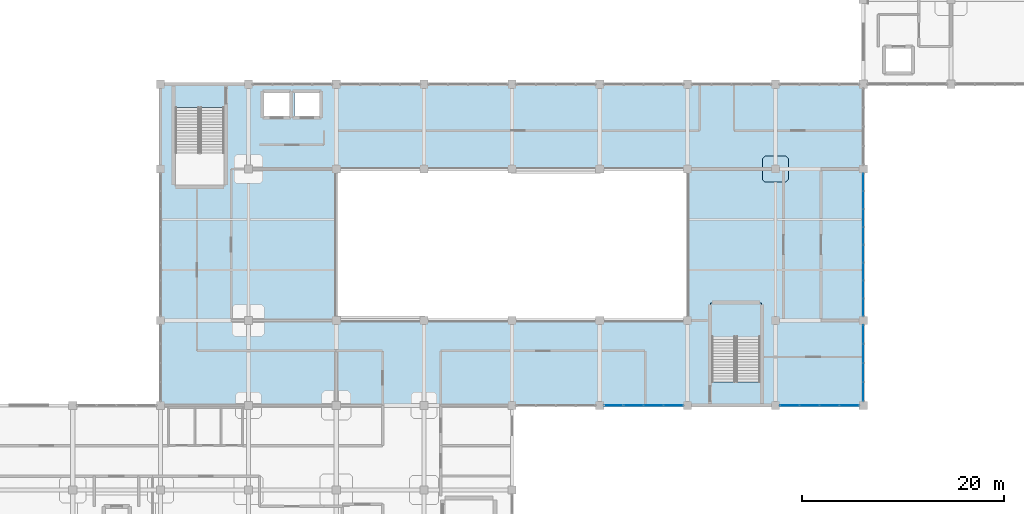
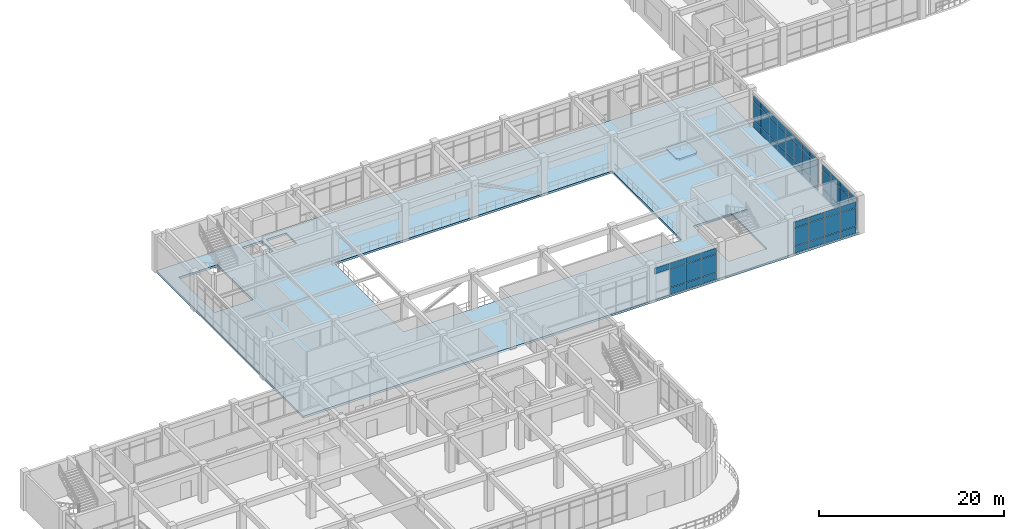
# One storey, part 72 of 96: 58 plates, 3 slabs, 6 elements without a shape of their own.
"""IFC4 building model written with IfcOpenShell, lengths in metres."""

from ifc_helpers import new_model, si_unit, derived_unit, direction, frame, origin, origin_2d, place, context, subcontext, project, spatial, polyline, rectangle, outline, extrude, material, layer, layer_set, type_object, element, aggregate, save


model = new_model("IFC4")

# Units and contexts
model_context = context("Model", 3, precision=1e-05, world=origin(), true_north=direction((0.0, 1.0)))
body_context = subcontext(model_context, "Body", "Model", "MODEL_VIEW")
ifc_project = project(units=[si_unit("LENGTHUNIT", "METRE"), si_unit("AREAUNIT", "SQUARE_METRE"), si_unit("VOLUMEUNIT", "CUBIC_METRE"), si_unit("PLANEANGLEUNIT", "RADIAN"), si_unit("MASSUNIT", "GRAM", prefix="KILO"), derived_unit("THERMALTRANSMITTANCEUNIT", [(si_unit("MASSUNIT", "GRAM", prefix="KILO"), 1), (si_unit("TIMEUNIT", "SECOND"), -3), (si_unit("THERMODYNAMICTEMPERATUREUNIT", "KELVIN"), -1)])], contexts=[model_context])

# Site, building, storey
site_placement = place(None, origin())
site = spatial("IfcSite", under=ifc_project, at=site_placement, CompositionType="ELEMENT")
building_placement = place(site_placement, origin())
building = spatial("IfcBuilding", under=site, at=building_placement, Name="Qinzheling Arcade Emporium", CompositionType="ELEMENT")
storey_placement = place(building_placement, frame((0.0, 0.0, 21.60009765625)))
storey = spatial("IfcBuildingStorey", under=building, at=storey_placement, Name="L05", CompositionType="ELEMENT", Elevation=21.60009765625)

# Slab
ifc_material_1 = material(Name="Concrete C40", Category="concrete")
ifc_layer_1 = layer(ifc_material_1, 0.235107421875, Name="Concrete C40", Category="concrete")
ifc_layer_set_1 = layer_set([ifc_layer_1], Name="Concrete C40")
slab_type_1 = type_object("IfcSlabType", Name="Column Head Drop Panel 2600x2600x235 C40", PredefinedType="USERDEFINED", material=ifc_layer_set_1)
slab_1_placement = place(storey_placement, frame((0.0, 0.0, -0.51513671875)))
element("IfcSlab", 1, at=slab_1_placement, inside=storey, type_object=slab_type_1, Name="Column Drop Panel DP-L05-12-H", ObjectType="DROP_PANEL", PredefinedType="USERDEFINED", context=body_context, shape_type="SweptSolid", body=[
    extrude(outline(polyline([(94.679931640625, 64.10009765625), (96.719970703125, 64.10009765625), (97.0, 64.3798828125), (97.0, 66.419921875), (96.719970703125, 66.699951171875), (94.679931640625, 66.699951171875), (94.39990234375, 66.419921875), (94.39990234375, 64.3798828125), (94.679931640625, 64.10009765625)])), origin(), (0.0, 0.0, 1.0), 0.235107421875),
])

# Curtain wall, plates
ifc_material_2 = material(Name="Anodised aluminium and solar-control double glazing", Category="aluminium")
ifc_layer_2 = layer(ifc_material_2, 0.159912109375, Name="Anodised aluminium and solar-control double glazing", Category="aluminium")
ifc_layer_set_2 = layer_set([ifc_layer_2], Name="Anodised aluminium and solar-control double glazing")
curtain_wall_type = type_object("IfcCurtainWallType", Name="Atrium Clerestory Curtain Wall", PredefinedType="NOTDEFINED", material=ifc_layer_set_2)
curtain_wall_1_placement = place(storey_placement, origin())
curtain_wall_1 = element("IfcCurtainWall", 2, at=curtain_wall_1_placement, inside=storey, type_object=curtain_wall_type, Name="Curtain Wall CW-L05-327", PredefinedType="NOTDEFINED")
ifc_material_3 = material(Name="Laminated solar-control double glazing", Category="glass")
ifc_layer_3 = layer(ifc_material_3, 0.033935546875, Name="Laminated solar-control double glazing", Category="glass")
ifc_layer_set_3 = layer_set([ifc_layer_3], Name="Laminated solar-control double glazing")
plate_type_1 = type_object("IfcPlateType", Name="Low-E Double Glazed Curtain Panel 34mm", PredefinedType="CURTAIN_PANEL", material=ifc_layer_set_3)
plate_1_placement = place(storey_placement, frame((104.39990234375, 64.095947265625, 0.06005859375), z_axis=(0.0, 0.0, 1.0), x_axis=(0.0, -1.0, 0.0)))
plate_1 = element("IfcPlate", 3, at=plate_1_placement, type_object=plate_type_1, Name="CW03 panel 1.1", PredefinedType="CURTAIN_PANEL", context=body_context, shape_type="SweptSolid", body=[
    extrude(rectangle(XDim=1.68408203125, YDim=0.033935546875, at=origin_2d()), origin(), (0.0, 0.0, 1.0), 0.860107421875),
])
plate_2_placement = place(storey_placement, frame((104.39990234375, 64.095947265625, 0.97998046875), z_axis=(0.0, 0.0, 1.0), x_axis=(0.0, -1.0, 0.0)))
plate_2 = element("IfcPlate", 4, at=plate_2_placement, type_object=plate_type_1, Name="CW03 panel 1.2", PredefinedType="CURTAIN_PANEL", context=body_context, shape_type="SweptSolid", body=[
    extrude(rectangle(XDim=1.68408203125, YDim=0.033935546875, at=origin_2d()), origin(), (0.0, 0.0, 1.0), 2.45703125),
])
plate_3_placement = place(storey_placement, frame((104.39990234375, 64.095947265625, 3.4970703125), z_axis=(0.0, 0.0, 1.0), x_axis=(0.0, -1.0, 0.0)))
plate_3 = element("IfcPlate", 5, at=plate_3_placement, type_object=plate_type_1, Name="CW03 panel 1.3", PredefinedType="CURTAIN_PANEL", context=body_context, shape_type="SweptSolid", body=[
    extrude(rectangle(XDim=1.68408203125, YDim=0.033935546875, at=origin_2d()), origin(), (0.0, 0.0, 1.0), 0.760009765625),
])
plate_4_placement = place(storey_placement, frame((104.39990234375, 62.3369140625, 0.06005859375), z_axis=(0.0, 0.0, 1.0), x_axis=(0.0, -1.0, 0.0)))
plate_4 = element("IfcPlate", 6, at=plate_4_placement, type_object=plate_type_1, Name="CW03 panel 2.1", PredefinedType="CURTAIN_PANEL", context=body_context, shape_type="SweptSolid", body=[
    extrude(rectangle(XDim=1.714111328125, YDim=0.033935546875, at=origin_2d()), origin(), (0.0, 0.0, 1.0), 0.860107421875),
])
plate_5_placement = place(storey_placement, frame((104.39990234375, 62.3369140625, 0.97998046875), z_axis=(0.0, 0.0, 1.0), x_axis=(0.0, -1.0, 0.0)))
plate_5 = element("IfcPlate", 7, at=plate_5_placement, type_object=plate_type_1, Name="CW03 panel 2.2", PredefinedType="CURTAIN_PANEL", context=body_context, shape_type="SweptSolid", body=[
    extrude(rectangle(XDim=1.714111328125, YDim=0.033935546875, at=origin_2d()), origin(), (0.0, 0.0, 1.0), 2.45703125),
])
plate_6_placement = place(storey_placement, frame((104.39990234375, 62.3369140625, 3.4970703125), z_axis=(0.0, 0.0, 1.0), x_axis=(0.0, -1.0, 0.0)))
plate_6 = element("IfcPlate", 8, at=plate_6_placement, type_object=plate_type_1, Name="CW03 panel 2.3", PredefinedType="CURTAIN_PANEL", context=body_context, shape_type="SweptSolid", body=[
    extrude(rectangle(XDim=1.714111328125, YDim=0.033935546875, at=origin_2d()), origin(), (0.0, 0.0, 1.0), 0.760009765625),
])
plate_7_placement = place(storey_placement, frame((104.39990234375, 60.56298828125, 0.06005859375), z_axis=(0.0, 0.0, 1.0), x_axis=(0.0, -1.0, 0.0)))
plate_7 = element("IfcPlate", 9, at=plate_7_placement, type_object=plate_type_1, Name="CW03 panel 3.1", PredefinedType="CURTAIN_PANEL", context=body_context, shape_type="SweptSolid", body=[
    extrude(rectangle(XDim=1.714111328125, YDim=0.033935546875, at=origin_2d()), origin(), (0.0, 0.0, 1.0), 0.860107421875),
])
plate_8_placement = place(storey_placement, frame((104.39990234375, 60.56298828125, 0.97998046875), z_axis=(0.0, 0.0, 1.0), x_axis=(0.0, -1.0, 0.0)))
plate_8 = element("IfcPlate", 10, at=plate_8_placement, type_object=plate_type_1, Name="CW03 panel 3.2", PredefinedType="CURTAIN_PANEL", context=body_context, shape_type="SweptSolid", body=[
    extrude(rectangle(XDim=1.714111328125, YDim=0.033935546875, at=origin_2d()), origin(), (0.0, 0.0, 1.0), 2.45703125),
])
plate_9_placement = place(storey_placement, frame((104.39990234375, 60.56298828125, 3.4970703125), z_axis=(0.0, 0.0, 1.0), x_axis=(0.0, -1.0, 0.0)))
plate_9 = element("IfcPlate", 11, at=plate_9_placement, type_object=plate_type_1, Name="CW03 panel 3.3", PredefinedType="CURTAIN_PANEL", context=body_context, shape_type="SweptSolid", body=[
    extrude(rectangle(XDim=1.714111328125, YDim=0.033935546875, at=origin_2d()), origin(), (0.0, 0.0, 1.0), 0.760009765625),
])
plate_10_placement = place(storey_placement, frame((104.39990234375, 58.803955078125, 0.06005859375), z_axis=(0.0, 0.0, 1.0), x_axis=(0.0, -1.0, 0.0)))
plate_10 = element("IfcPlate", 12, at=plate_10_placement, type_object=plate_type_1, Name="CW03 panel 4.1", PredefinedType="CURTAIN_PANEL", context=body_context, shape_type="SweptSolid", body=[
    extrude(rectangle(XDim=1.68408203125, YDim=0.033935546875, at=origin_2d()), origin(), (0.0, 0.0, 1.0), 0.860107421875),
])
plate_11_placement = place(storey_placement, frame((104.39990234375, 58.803955078125, 0.97998046875), z_axis=(0.0, 0.0, 1.0), x_axis=(0.0, -1.0, 0.0)))
plate_11 = element("IfcPlate", 13, at=plate_11_placement, type_object=plate_type_1, Name="CW03 panel 4.2", PredefinedType="CURTAIN_PANEL", context=body_context, shape_type="SweptSolid", body=[
    extrude(rectangle(XDim=1.68408203125, YDim=0.033935546875, at=origin_2d()), origin(), (0.0, 0.0, 1.0), 2.45703125),
])
plate_12_placement = place(storey_placement, frame((104.39990234375, 58.803955078125, 3.4970703125), z_axis=(0.0, 0.0, 1.0), x_axis=(0.0, -1.0, 0.0)))
plate_12 = element("IfcPlate", 14, at=plate_12_placement, type_object=plate_type_1, Name="CW03 panel 4.3", PredefinedType="CURTAIN_PANEL", context=body_context, shape_type="SweptSolid", body=[
    extrude(rectangle(XDim=1.68408203125, YDim=0.033935546875, at=origin_2d()), origin(), (0.0, 0.0, 1.0), 0.760009765625),
])
aggregate(curtain_wall_1, [plate_1, plate_2, plate_3, plate_4, plate_5, plate_6, plate_7, plate_8, plate_9, plate_10, plate_11, plate_12])

curtain_wall_2_placement = place(storey_placement, origin())
curtain_wall_2 = element("IfcCurtainWall", 15, at=curtain_wall_2_placement, inside=storey, type_object=curtain_wall_type, Name="Curtain Wall CW-L05-328", PredefinedType="NOTDEFINED")
ifc_layer_4 = layer(ifc_material_3, 0.035888671875, Name="Laminated solar-control double glazing", Category="glass")
ifc_layer_set_4 = layer_set([ifc_layer_4], Name="Laminated solar-control double glazing")
plate_type_2 = type_object("IfcPlateType", Name="Low-E Double Glazed Curtain Panel 36mm", PredefinedType="CURTAIN_PANEL", material=ifc_layer_set_4)
plate_13_placement = place(storey_placement, frame((104.39990234375, 56.99609375, 0.06005859375), z_axis=(0.0, 0.0, 1.0), x_axis=(0.0, -1.0, 0.0)))
plate_13 = element("IfcPlate", 16, at=plate_13_placement, type_object=plate_type_2, Name="CW03 panel 1.1", PredefinedType="CURTAIN_PANEL", context=body_context, shape_type="SweptSolid", body=[
    extrude(rectangle(XDim=1.68408203125, YDim=0.035888671875, at=origin_2d()), origin(), (0.0, 0.0, 1.0), 0.860107421875),
])
plate_14_placement = place(storey_placement, frame((104.39990234375, 56.99609375, 0.97998046875), z_axis=(0.0, 0.0, 1.0), x_axis=(0.0, -1.0, 0.0)))
plate_14 = element("IfcPlate", 17, at=plate_14_placement, type_object=plate_type_2, Name="CW03 panel 1.2", PredefinedType="CURTAIN_PANEL", context=body_context, shape_type="SweptSolid", body=[
    extrude(rectangle(XDim=1.68408203125, YDim=0.035888671875, at=origin_2d()), origin(), (0.0, 0.0, 1.0), 2.45703125),
])
plate_15_placement = place(storey_placement, frame((104.39990234375, 56.99609375, 3.4970703125), z_axis=(0.0, 0.0, 1.0), x_axis=(0.0, -1.0, 0.0)))
plate_15 = element("IfcPlate", 18, at=plate_15_placement, type_object=plate_type_2, Name="CW03 panel 1.3", PredefinedType="CURTAIN_PANEL", context=body_context, shape_type="SweptSolid", body=[
    extrude(rectangle(XDim=1.68408203125, YDim=0.035888671875, at=origin_2d()), origin(), (0.0, 0.0, 1.0), 0.760009765625),
])
plate_16_placement = place(storey_placement, frame((104.39990234375, 55.237060546875, 0.06005859375), z_axis=(0.0, 0.0, 1.0), x_axis=(0.0, -1.0, 0.0)))
plate_16 = element("IfcPlate", 19, at=plate_16_placement, type_object=plate_type_2, Name="CW03 panel 2.1", PredefinedType="CURTAIN_PANEL", context=body_context, shape_type="SweptSolid", body=[
    extrude(rectangle(XDim=1.714111328125, YDim=0.035888671875, at=origin_2d()), origin(), (0.0, 0.0, 1.0), 0.860107421875),
])
plate_17_placement = place(storey_placement, frame((104.39990234375, 55.237060546875, 0.97998046875), z_axis=(0.0, 0.0, 1.0), x_axis=(0.0, -1.0, 0.0)))
plate_17 = element("IfcPlate", 20, at=plate_17_placement, type_object=plate_type_2, Name="CW03 panel 2.2", PredefinedType="CURTAIN_PANEL", context=body_context, shape_type="SweptSolid", body=[
    extrude(rectangle(XDim=1.714111328125, YDim=0.035888671875, at=origin_2d()), origin(), (0.0, 0.0, 1.0), 2.45703125),
])
plate_18_placement = place(storey_placement, frame((104.39990234375, 55.237060546875, 3.4970703125), z_axis=(0.0, 0.0, 1.0), x_axis=(0.0, -1.0, 0.0)))
plate_18 = element("IfcPlate", 21, at=plate_18_placement, type_object=plate_type_2, Name="CW03 panel 2.3", PredefinedType="CURTAIN_PANEL", context=body_context, shape_type="SweptSolid", body=[
    extrude(rectangle(XDim=1.714111328125, YDim=0.035888671875, at=origin_2d()), origin(), (0.0, 0.0, 1.0), 0.760009765625),
])
plate_19_placement = place(storey_placement, frame((104.39990234375, 53.462890625, 0.06005859375), z_axis=(0.0, 0.0, 1.0), x_axis=(0.0, -1.0, 0.0)))
plate_19 = element("IfcPlate", 22, at=plate_19_placement, type_object=plate_type_2, Name="CW03 panel 3.1", PredefinedType="CURTAIN_PANEL", context=body_context, shape_type="SweptSolid", body=[
    extrude(rectangle(XDim=1.714111328125, YDim=0.035888671875, at=origin_2d()), origin(), (0.0, 0.0, 1.0), 0.860107421875),
])
plate_20_placement = place(storey_placement, frame((104.39990234375, 53.462890625, 0.97998046875), z_axis=(0.0, 0.0, 1.0), x_axis=(0.0, -1.0, 0.0)))
plate_20 = element("IfcPlate", 23, at=plate_20_placement, type_object=plate_type_2, Name="CW03 panel 3.2", PredefinedType="CURTAIN_PANEL", context=body_context, shape_type="SweptSolid", body=[
    extrude(rectangle(XDim=1.714111328125, YDim=0.035888671875, at=origin_2d()), origin(), (0.0, 0.0, 1.0), 2.45703125),
])
plate_21_placement = place(storey_placement, frame((104.39990234375, 53.462890625, 3.4970703125), z_axis=(0.0, 0.0, 1.0), x_axis=(0.0, -1.0, 0.0)))
plate_21 = element("IfcPlate", 24, at=plate_21_placement, type_object=plate_type_2, Name="CW03 panel 3.3", PredefinedType="CURTAIN_PANEL", context=body_context, shape_type="SweptSolid", body=[
    extrude(rectangle(XDim=1.714111328125, YDim=0.035888671875, at=origin_2d()), origin(), (0.0, 0.0, 1.0), 0.760009765625),
])
plate_22_placement = place(storey_placement, frame((104.39990234375, 51.7041015625, 0.06005859375), z_axis=(0.0, 0.0, 1.0), x_axis=(0.0, -1.0, 0.0)))
plate_22 = element("IfcPlate", 25, at=plate_22_placement, type_object=plate_type_2, Name="CW03 panel 4.1", PredefinedType="CURTAIN_PANEL", context=body_context, shape_type="SweptSolid", body=[
    extrude(rectangle(XDim=1.68408203125, YDim=0.035888671875, at=origin_2d()), origin(), (0.0, 0.0, 1.0), 0.860107421875),
])
plate_23_placement = place(storey_placement, frame((104.39990234375, 51.7041015625, 0.97998046875), z_axis=(0.0, 0.0, 1.0), x_axis=(0.0, -1.0, 0.0)))
plate_23 = element("IfcPlate", 26, at=plate_23_placement, type_object=plate_type_2, Name="CW03 panel 4.2", PredefinedType="CURTAIN_PANEL", context=body_context, shape_type="SweptSolid", body=[
    extrude(rectangle(XDim=1.68408203125, YDim=0.035888671875, at=origin_2d()), origin(), (0.0, 0.0, 1.0), 2.45703125),
])
plate_24_placement = place(storey_placement, frame((104.39990234375, 51.7041015625, 3.4970703125), z_axis=(0.0, 0.0, 1.0), x_axis=(0.0, -1.0, 0.0)))
plate_24 = element("IfcPlate", 27, at=plate_24_placement, type_object=plate_type_2, Name="CW03 panel 4.3", PredefinedType="CURTAIN_PANEL", context=body_context, shape_type="SweptSolid", body=[
    extrude(rectangle(XDim=1.68408203125, YDim=0.035888671875, at=origin_2d()), origin(), (0.0, 0.0, 1.0), 0.760009765625),
])
aggregate(curtain_wall_2, [plate_13, plate_14, plate_15, plate_16, plate_17, plate_18, plate_19, plate_20, plate_21, plate_22, plate_23, plate_24])

curtain_wall_3_placement = place(storey_placement, origin())
curtain_wall_3 = element("IfcCurtainWall", 28, at=curtain_wall_3_placement, inside=storey, type_object=curtain_wall_type, Name="Curtain Wall CW-L05-329", PredefinedType="NOTDEFINED")
ifc_layer_5 = layer(ifc_material_3, 0.0380859375, Name="Laminated solar-control double glazing", Category="glass")
ifc_layer_set_5 = layer_set([ifc_layer_5], Name="Laminated solar-control double glazing")
plate_type_3 = type_object("IfcPlateType", Name="Low-E Double Glazed Curtain Panel 38mm", PredefinedType="CURTAIN_PANEL", material=ifc_layer_set_5)
plate_25_placement = place(storey_placement, frame((104.39990234375, 49.033447265625, 0.06005859375), z_axis=(0.0, 0.0, 1.0), x_axis=(0.0, -1.0, 0.0)))
plate_25 = element("IfcPlate", 29, at=plate_25_placement, type_object=plate_type_3, Name="CW03 panel 1.1", PredefinedType="CURTAIN_PANEL", context=body_context, shape_type="SweptSolid", body=[
    extrude(rectangle(XDim=1.80908203125, YDim=0.0380859375, at=origin_2d()), origin(), (0.0, 0.0, 1.0), 0.860107421875),
])
plate_26_placement = place(storey_placement, frame((104.39990234375, 49.033447265625, 0.97998046875), z_axis=(0.0, 0.0, 1.0), x_axis=(0.0, -1.0, 0.0)))
plate_26 = element("IfcPlate", 30, at=plate_26_placement, type_object=plate_type_3, Name="CW03 panel 1.2", PredefinedType="CURTAIN_PANEL", context=body_context, shape_type="SweptSolid", body=[
    extrude(rectangle(XDim=1.80908203125, YDim=0.0380859375, at=origin_2d()), origin(), (0.0, 0.0, 1.0), 2.39501953125),
])
plate_27_placement = place(storey_placement, frame((104.39990234375, 49.033447265625, 3.43505859375), z_axis=(0.0, 0.0, 1.0), x_axis=(0.0, -1.0, 0.0)))
plate_27 = element("IfcPlate", 31, at=plate_27_placement, type_object=plate_type_3, Name="CW03 panel 1.3", PredefinedType="CURTAIN_PANEL", context=body_context, shape_type="SweptSolid", body=[
    extrude(rectangle(XDim=1.80908203125, YDim=0.0380859375, at=origin_2d()), origin(), (0.0, 0.0, 1.0), 0.760009765625),
])
plate_28_placement = place(storey_placement, frame((104.39990234375, 47.1494140625, 0.06005859375), z_axis=(0.0, 0.0, 1.0), x_axis=(0.0, -1.0, 0.0)))
plate_28 = element("IfcPlate", 32, at=plate_28_placement, type_object=plate_type_3, Name="CW03 panel 2.1", PredefinedType="CURTAIN_PANEL", context=body_context, shape_type="SweptSolid", body=[
    extrude(rectangle(XDim=1.839111328125, YDim=0.0380859375, at=origin_2d()), origin(), (0.0, 0.0, 1.0), 0.860107421875),
])
plate_29_placement = place(storey_placement, frame((104.39990234375, 47.1494140625, 0.97998046875), z_axis=(0.0, 0.0, 1.0), x_axis=(0.0, -1.0, 0.0)))
plate_29 = element("IfcPlate", 33, at=plate_29_placement, type_object=plate_type_3, Name="CW03 panel 2.2", PredefinedType="CURTAIN_PANEL", context=body_context, shape_type="SweptSolid", body=[
    extrude(rectangle(XDim=1.839111328125, YDim=0.0380859375, at=origin_2d()), origin(), (0.0, 0.0, 1.0), 2.39501953125),
])
plate_30_placement = place(storey_placement, frame((104.39990234375, 47.1494140625, 3.43505859375), z_axis=(0.0, 0.0, 1.0), x_axis=(0.0, -1.0, 0.0)))
plate_30 = element("IfcPlate", 34, at=plate_30_placement, type_object=plate_type_3, Name="CW03 panel 2.3", PredefinedType="CURTAIN_PANEL", context=body_context, shape_type="SweptSolid", body=[
    extrude(rectangle(XDim=1.839111328125, YDim=0.0380859375, at=origin_2d()), origin(), (0.0, 0.0, 1.0), 0.760009765625),
])
plate_31_placement = place(storey_placement, frame((104.39990234375, 45.25048828125, 0.06005859375), z_axis=(0.0, 0.0, 1.0), x_axis=(0.0, -1.0, 0.0)))
plate_31 = element("IfcPlate", 35, at=plate_31_placement, type_object=plate_type_3, Name="CW03 panel 3.1", PredefinedType="CURTAIN_PANEL", context=body_context, shape_type="SweptSolid", body=[
    extrude(rectangle(XDim=1.839111328125, YDim=0.0380859375, at=origin_2d()), origin(), (0.0, 0.0, 1.0), 0.860107421875),
])
plate_32_placement = place(storey_placement, frame((104.39990234375, 45.25048828125, 0.97998046875), z_axis=(0.0, 0.0, 1.0), x_axis=(0.0, -1.0, 0.0)))
plate_32 = element("IfcPlate", 36, at=plate_32_placement, type_object=plate_type_3, Name="CW03 panel 3.2", PredefinedType="CURTAIN_PANEL", context=body_context, shape_type="SweptSolid", body=[
    extrude(rectangle(XDim=1.839111328125, YDim=0.0380859375, at=origin_2d()), origin(), (0.0, 0.0, 1.0), 2.39501953125),
])
plate_33_placement = place(storey_placement, frame((104.39990234375, 45.25048828125, 3.43505859375), z_axis=(0.0, 0.0, 1.0), x_axis=(0.0, -1.0, 0.0)))
plate_33 = element("IfcPlate", 37, at=plate_33_placement, type_object=plate_type_3, Name="CW03 panel 3.3", PredefinedType="CURTAIN_PANEL", context=body_context, shape_type="SweptSolid", body=[
    extrude(rectangle(XDim=1.839111328125, YDim=0.0380859375, at=origin_2d()), origin(), (0.0, 0.0, 1.0), 0.760009765625),
])
plate_34_placement = place(storey_placement, frame((104.39990234375, 43.366455078125, 0.06005859375), z_axis=(0.0, 0.0, 1.0), x_axis=(0.0, -1.0, 0.0)))
plate_34 = element("IfcPlate", 38, at=plate_34_placement, type_object=plate_type_3, Name="CW03 panel 4.1", PredefinedType="CURTAIN_PANEL", context=body_context, shape_type="SweptSolid", body=[
    extrude(rectangle(XDim=1.80908203125, YDim=0.0380859375, at=origin_2d()), origin(), (0.0, 0.0, 1.0), 0.860107421875),
])
plate_35_placement = place(storey_placement, frame((104.39990234375, 43.366455078125, 0.97998046875), z_axis=(0.0, 0.0, 1.0), x_axis=(0.0, -1.0, 0.0)))
plate_35 = element("IfcPlate", 39, at=plate_35_placement, type_object=plate_type_3, Name="CW03 panel 4.2", PredefinedType="CURTAIN_PANEL", context=body_context, shape_type="SweptSolid", body=[
    extrude(rectangle(XDim=1.80908203125, YDim=0.0380859375, at=origin_2d()), origin(), (0.0, 0.0, 1.0), 2.39501953125),
])
plate_36_placement = place(storey_placement, frame((104.39990234375, 43.366455078125, 3.43505859375), z_axis=(0.0, 0.0, 1.0), x_axis=(0.0, -1.0, 0.0)))
plate_36 = element("IfcPlate", 40, at=plate_36_placement, type_object=plate_type_3, Name="CW03 panel 4.3", PredefinedType="CURTAIN_PANEL", context=body_context, shape_type="SweptSolid", body=[
    extrude(rectangle(XDim=1.80908203125, YDim=0.0380859375, at=origin_2d()), origin(), (0.0, 0.0, 1.0), 0.760009765625),
])
aggregate(curtain_wall_3, [plate_25, plate_26, plate_27, plate_28, plate_29, plate_30, plate_31, plate_32, plate_33, plate_34, plate_35, plate_36])

curtain_wall_4_placement = place(storey_placement, origin())
curtain_wall_4 = element("IfcCurtainWall", 41, at=curtain_wall_4_placement, inside=storey, type_object=curtain_wall_type, Name="Curtain Wall CW-L05-330", PredefinedType="NOTDEFINED")
ifc_layer_6 = layer(ifc_material_3, 0.0400390625, Name="Laminated solar-control double glazing", Category="glass")
ifc_layer_set_6 = layer_set([ifc_layer_6], Name="Laminated solar-control double glazing")
plate_type_4 = type_object("IfcPlateType", Name="Low-E Double Glazed Curtain Panel 40mm", PredefinedType="CURTAIN_PANEL", material=ifc_layer_set_6)
plate_37_placement = place(storey_placement, frame((102.99609375, 42.0, 0.06005859375), z_axis=(0.0, 0.0, 1.0), x_axis=(-1.0, 0.0, 0.0)))
plate_37 = element("IfcPlate", 42, at=plate_37_placement, type_object=plate_type_4, Name="CW03 panel 1.1", PredefinedType="CURTAIN_PANEL", context=body_context, shape_type="SweptSolid", body=[
    extrude(rectangle(XDim=1.884033203125, YDim=0.0400390625, at=origin_2d()), origin(), (0.0, 0.0, 1.0), 0.860107421875),
])
plate_38_placement = place(storey_placement, frame((102.99609375, 42.0, 0.97998046875), z_axis=(0.0, 0.0, 1.0), x_axis=(-1.0, 0.0, 0.0)))
plate_38 = element("IfcPlate", 43, at=plate_38_placement, type_object=plate_type_4, Name="CW03 panel 1.2", PredefinedType="CURTAIN_PANEL", context=body_context, shape_type="SweptSolid", body=[
    extrude(rectangle(XDim=1.884033203125, YDim=0.0400390625, at=origin_2d()), origin(), (0.0, 0.0, 1.0), 2.39501953125),
])
plate_39_placement = place(storey_placement, frame((102.99609375, 42.0, 3.43505859375), z_axis=(0.0, 0.0, 1.0), x_axis=(-1.0, 0.0, 0.0)))
plate_39 = element("IfcPlate", 44, at=plate_39_placement, type_object=plate_type_4, Name="CW03 panel 1.3", PredefinedType="CURTAIN_PANEL", context=body_context, shape_type="SweptSolid", body=[
    extrude(rectangle(XDim=1.884033203125, YDim=0.0400390625, at=origin_2d()), origin(), (0.0, 0.0, 1.0), 0.760009765625),
])
plate_40_placement = place(storey_placement, frame((101.037109375, 42.0, 0.06005859375), z_axis=(0.0, 0.0, 1.0), x_axis=(-1.0, 0.0, 0.0)))
plate_40 = element("IfcPlate", 45, at=plate_40_placement, type_object=plate_type_4, Name="CW03 panel 2.1", PredefinedType="CURTAIN_PANEL", context=body_context, shape_type="SweptSolid", body=[
    extrude(rectangle(XDim=1.9140625, YDim=0.0400390625, at=origin_2d()), origin(), (0.0, 0.0, 1.0), 0.860107421875),
])
plate_41_placement = place(storey_placement, frame((101.037109375, 42.0, 0.97998046875), z_axis=(0.0, 0.0, 1.0), x_axis=(-1.0, 0.0, 0.0)))
plate_41 = element("IfcPlate", 46, at=plate_41_placement, type_object=plate_type_4, Name="CW03 panel 2.2", PredefinedType="CURTAIN_PANEL", context=body_context, shape_type="SweptSolid", body=[
    extrude(rectangle(XDim=1.9140625, YDim=0.0400390625, at=origin_2d()), origin(), (0.0, 0.0, 1.0), 2.39501953125),
])
plate_42_placement = place(storey_placement, frame((101.037109375, 42.0, 3.43505859375), z_axis=(0.0, 0.0, 1.0), x_axis=(-1.0, 0.0, 0.0)))
plate_42 = element("IfcPlate", 47, at=plate_42_placement, type_object=plate_type_4, Name="CW03 panel 2.3", PredefinedType="CURTAIN_PANEL", context=body_context, shape_type="SweptSolid", body=[
    extrude(rectangle(XDim=1.9140625, YDim=0.0400390625, at=origin_2d()), origin(), (0.0, 0.0, 1.0), 0.760009765625),
])
plate_43_placement = place(storey_placement, frame((99.06298828125, 42.0, 0.06005859375), z_axis=(0.0, 0.0, 1.0), x_axis=(-1.0, 0.0, 0.0)))
plate_43 = element("IfcPlate", 48, at=plate_43_placement, type_object=plate_type_4, Name="CW03 panel 3.1", PredefinedType="CURTAIN_PANEL", context=body_context, shape_type="SweptSolid", body=[
    extrude(rectangle(XDim=1.9140625, YDim=0.0400390625, at=origin_2d()), origin(), (0.0, 0.0, 1.0), 0.860107421875),
])
plate_44_placement = place(storey_placement, frame((99.06298828125, 42.0, 0.97998046875), z_axis=(0.0, 0.0, 1.0), x_axis=(-1.0, 0.0, 0.0)))
plate_44 = element("IfcPlate", 49, at=plate_44_placement, type_object=plate_type_4, Name="CW03 panel 3.2", PredefinedType="CURTAIN_PANEL", context=body_context, shape_type="SweptSolid", body=[
    extrude(rectangle(XDim=1.9140625, YDim=0.0400390625, at=origin_2d()), origin(), (0.0, 0.0, 1.0), 2.39501953125),
])
plate_45_placement = place(storey_placement, frame((99.06298828125, 42.0, 3.43505859375), z_axis=(0.0, 0.0, 1.0), x_axis=(-1.0, 0.0, 0.0)))
plate_45 = element("IfcPlate", 50, at=plate_45_placement, type_object=plate_type_4, Name="CW03 panel 3.3", PredefinedType="CURTAIN_PANEL", context=body_context, shape_type="SweptSolid", body=[
    extrude(rectangle(XDim=1.9140625, YDim=0.0400390625, at=origin_2d()), origin(), (0.0, 0.0, 1.0), 0.760009765625),
])
plate_46_placement = place(storey_placement, frame((97.10400390625, 42.0, 0.06005859375), z_axis=(0.0, 0.0, 1.0), x_axis=(-1.0, 0.0, 0.0)))
plate_46 = element("IfcPlate", 51, at=plate_46_placement, type_object=plate_type_4, Name="CW03 panel 4.1", PredefinedType="CURTAIN_PANEL", context=body_context, shape_type="SweptSolid", body=[
    extrude(rectangle(XDim=1.884033203125, YDim=0.0400390625, at=origin_2d()), origin(), (0.0, 0.0, 1.0), 0.860107421875),
])
plate_47_placement = place(storey_placement, frame((97.10400390625, 42.0, 0.97998046875), z_axis=(0.0, 0.0, 1.0), x_axis=(-1.0, 0.0, 0.0)))
plate_47 = element("IfcPlate", 52, at=plate_47_placement, type_object=plate_type_4, Name="CW03 panel 4.2", PredefinedType="CURTAIN_PANEL", context=body_context, shape_type="SweptSolid", body=[
    extrude(rectangle(XDim=1.884033203125, YDim=0.0400390625, at=origin_2d()), origin(), (0.0, 0.0, 1.0), 2.39501953125),
])
plate_48_placement = place(storey_placement, frame((97.10400390625, 42.0, 3.43505859375), z_axis=(0.0, 0.0, 1.0), x_axis=(-1.0, 0.0, 0.0)))
plate_48 = element("IfcPlate", 53, at=plate_48_placement, type_object=plate_type_4, Name="CW03 panel 4.3", PredefinedType="CURTAIN_PANEL", context=body_context, shape_type="SweptSolid", body=[
    extrude(rectangle(XDim=1.884033203125, YDim=0.0400390625, at=origin_2d()), origin(), (0.0, 0.0, 1.0), 0.760009765625),
])
aggregate(curtain_wall_4, [plate_37, plate_38, plate_39, plate_40, plate_41, plate_42, plate_43, plate_44, plate_45, plate_46, plate_47, plate_48])

curtain_wall_5_placement = place(storey_placement, origin())
curtain_wall_5 = element("IfcCurtainWall", 54, at=curtain_wall_5_placement, inside=storey, type_object=curtain_wall_type, Name="Curtain Wall CW-L05-331", PredefinedType="NOTDEFINED")
ifc_layer_7 = layer(ifc_material_3, 0.0419921875, Name="Laminated solar-control double glazing", Category="glass")
ifc_layer_set_7 = layer_set([ifc_layer_7], Name="Laminated solar-control double glazing")
plate_type_5 = type_object("IfcPlateType", Name="Low-E Double Glazed Curtain Panel 42mm", PredefinedType="CURTAIN_PANEL", material=ifc_layer_set_7)
plate_49_placement = place(storey_placement, frame((85.595947265625, 42.0, 0.06005859375), z_axis=(0.0, 0.0, 1.0), x_axis=(-1.0, 0.0, 0.0)))
plate_49 = element("IfcPlate", 55, at=plate_49_placement, type_object=plate_type_5, Name="CW03 panel 1.1", PredefinedType="CURTAIN_PANEL", context=body_context, shape_type="SweptSolid", body=[
    extrude(rectangle(XDim=1.884033203125, YDim=0.0419921875, at=origin_2d()), origin(), (0.0, 0.0, 1.0), 0.860107421875),
])
plate_50_placement = place(storey_placement, frame((85.595947265625, 42.0, 0.97998046875), z_axis=(0.0, 0.0, 1.0), x_axis=(-1.0, 0.0, 0.0)))
plate_50 = element("IfcPlate", 56, at=plate_50_placement, type_object=plate_type_5, Name="CW03 panel 1.2", PredefinedType="CURTAIN_PANEL", context=body_context, shape_type="SweptSolid", body=[
    extrude(rectangle(XDim=1.884033203125, YDim=0.0419921875, at=origin_2d()), origin(), (0.0, 0.0, 1.0), 2.39501953125),
])
plate_51_placement = place(storey_placement, frame((85.595947265625, 42.0, 3.43505859375), z_axis=(0.0, 0.0, 1.0), x_axis=(-1.0, 0.0, 0.0)))
plate_51 = element("IfcPlate", 57, at=plate_51_placement, type_object=plate_type_5, Name="CW03 panel 1.3", PredefinedType="CURTAIN_PANEL", context=body_context, shape_type="SweptSolid", body=[
    extrude(rectangle(XDim=1.884033203125, YDim=0.0419921875, at=origin_2d()), origin(), (0.0, 0.0, 1.0), 0.760009765625),
])
plate_52_placement = place(storey_placement, frame((83.636962890625, 42.0, 0.06005859375), z_axis=(0.0, 0.0, 1.0), x_axis=(-1.0, 0.0, 0.0)))
plate_52 = element("IfcPlate", 58, at=plate_52_placement, type_object=plate_type_5, Name="CW03 panel 2.1", PredefinedType="CURTAIN_PANEL", context=body_context, shape_type="SweptSolid", body=[
    extrude(rectangle(XDim=1.9140625, YDim=0.0419921875, at=origin_2d()), origin(), (0.0, 0.0, 1.0), 0.860107421875),
])
plate_53_placement = place(storey_placement, frame((83.636962890625, 42.0, 0.97998046875), z_axis=(0.0, 0.0, 1.0), x_axis=(-1.0, 0.0, 0.0)))
plate_53 = element("IfcPlate", 59, at=plate_53_placement, type_object=plate_type_5, Name="CW03 panel 2.2", PredefinedType="CURTAIN_PANEL", context=body_context, shape_type="SweptSolid", body=[
    extrude(rectangle(XDim=1.9140625, YDim=0.0419921875, at=origin_2d()), origin(), (0.0, 0.0, 1.0), 2.39501953125),
])
plate_54_placement = place(storey_placement, frame((83.636962890625, 42.0, 3.43505859375), z_axis=(0.0, 0.0, 1.0), x_axis=(-1.0, 0.0, 0.0)))
plate_54 = element("IfcPlate", 60, at=plate_54_placement, type_object=plate_type_5, Name="CW03 panel 2.3", PredefinedType="CURTAIN_PANEL", context=body_context, shape_type="SweptSolid", body=[
    extrude(rectangle(XDim=1.9140625, YDim=0.0419921875, at=origin_2d()), origin(), (0.0, 0.0, 1.0), 0.760009765625),
])
plate_55_placement = place(storey_placement, frame((81.6630859375, 42.0, 0.06005859375), z_axis=(0.0, 0.0, 1.0), x_axis=(-1.0, 0.0, 0.0)))
plate_55 = element("IfcPlate", 61, at=plate_55_placement, type_object=plate_type_5, Name="CW03 panel 3.1", PredefinedType="CURTAIN_PANEL", context=body_context, shape_type="SweptSolid", body=[
    extrude(rectangle(XDim=1.9140625, YDim=0.0419921875, at=origin_2d()), origin(), (0.0, 0.0, 1.0), 0.860107421875),
])
plate_56_placement = place(storey_placement, frame((81.6630859375, 42.0, 0.97998046875), z_axis=(0.0, 0.0, 1.0), x_axis=(-1.0, 0.0, 0.0)))
plate_56 = element("IfcPlate", 62, at=plate_56_placement, type_object=plate_type_5, Name="CW03 panel 3.2", PredefinedType="CURTAIN_PANEL", context=body_context, shape_type="SweptSolid", body=[
    extrude(rectangle(XDim=1.9140625, YDim=0.0419921875, at=origin_2d()), origin(), (0.0, 0.0, 1.0), 2.39501953125),
])
plate_57_placement = place(storey_placement, frame((81.6630859375, 42.0, 3.43505859375), z_axis=(0.0, 0.0, 1.0), x_axis=(-1.0, 0.0, 0.0)))
plate_57 = element("IfcPlate", 63, at=plate_57_placement, type_object=plate_type_5, Name="CW03 panel 3.3", PredefinedType="CURTAIN_PANEL", context=body_context, shape_type="SweptSolid", body=[
    extrude(rectangle(XDim=1.9140625, YDim=0.0419921875, at=origin_2d()), origin(), (0.0, 0.0, 1.0), 0.760009765625),
])
plate_58_placement = place(storey_placement, frame((79.7041015625, 42.0, 3.43505859375), z_axis=(0.0, 0.0, 1.0), x_axis=(-1.0, 0.0, 0.0)))
plate_58 = element("IfcPlate", 64, at=plate_58_placement, type_object=plate_type_5, Name="CW03 panel 4.3", PredefinedType="CURTAIN_PANEL", context=body_context, shape_type="SweptSolid", body=[
    extrude(rectangle(XDim=1.884033203125, YDim=0.0419921875, at=origin_2d()), origin(), (0.0, 0.0, 1.0), 0.760009765625),
])
aggregate(curtain_wall_5, [plate_49, plate_50, plate_51, plate_52, plate_53, plate_54, plate_55, plate_56, plate_57, plate_58])

# Slab
ifc_layer_8 = layer(ifc_material_1, 0.280029296875, Name="Concrete C40", Category="concrete")
ifc_layer_set_8 = layer_set([ifc_layer_8], Name="Concrete C40")
slab_type_2 = type_object("IfcSlabType", Name="Retail Two-Way Flat Slab 280 C40", PredefinedType="FLOOR", material=ifc_layer_set_8)
slab_2_placement = place(storey_placement, frame((0.0, 0.0, -0.280029296875)))
element("IfcSlab", 65, at=slab_2_placement, inside=storey, type_object=slab_type_2, Name="Floor Slab SLB-L05-V2", PredefinedType="FLOOR", context=body_context, shape_type="SweptSolid", body=[
    extrude(outline(polyline([(34.800048828125, 42.0), (104.39990234375, 42.0), (104.39990234375, 73.800048828125), (34.800048828125, 73.800048828125), (34.800048828125, 42.0)]), holes=[polyline([(94.18994140625, 44.324951171875), (89.39990234375, 44.324951171875), (89.39990234375, 52.0), (94.18994140625, 52.0), (94.18994140625, 44.324951171875)]), polyline([(87.0, 50.39990234375), (52.199951171875, 50.39990234375), (52.199951171875, 65.39990234375), (87.0, 65.39990234375), (87.0, 50.39990234375)]), polyline([(50.550048828125, 70.64990234375), (48.050048828125, 70.64990234375), (48.050048828125, 72.949951171875), (50.550048828125, 72.949951171875), (50.550048828125, 70.64990234375)]), polyline([(47.550048828125, 70.64990234375), (45.050048828125, 70.64990234375), (45.050048828125, 72.949951171875), (47.550048828125, 72.949951171875), (47.550048828125, 70.64990234375)]), polyline([(41.090087890625, 63.800048828125), (36.300048828125, 63.800048828125), (36.300048828125, 71.47509765625), (41.090087890625, 71.47509765625), (41.090087890625, 63.800048828125)])]), origin(), (0.0, 0.0, 1.0), 0.280029296875),
])

# Stair, slab
stair_type = type_object("IfcStairType", Name="Cast-in-Situ Dog-Leg Escape Stair H5100", PredefinedType="HALF_TURN_STAIR", material=ifc_material_1)
stair_placement = place(storey_placement, origin())
stair = element("IfcStair", 66, at=stair_placement, inside=storey, type_object=stair_type, Name="L05 ST04", PredefinedType="HALF_TURN_STAIR")
ifc_layer_9 = layer(ifc_material_1, 0.199951171875, Name="Concrete C40", Category="concrete")
ifc_layer_set_9 = layer_set([ifc_layer_9], Name="Concrete C40")
slab_type_3 = type_object("IfcSlabType", Name="Stair Half-Turn Landing Slab 200 C40", PredefinedType="LANDING", material=ifc_layer_set_9)
slab_3_placement = place(storey_placement, frame((0.0, 0.0, 2.349853515625)))
slab_3 = element("IfcSlab", 67, at=slab_3_placement, type_object=slab_type_3, Name="ST04 landing 1", PredefinedType="LANDING", context=body_context, shape_type="SweptSolid", body=[
    extrude(outline(polyline([(94.31005859375, 48.679931640625), (89.280029296875, 48.679931640625), (89.280029296875, 52.1201171875), (94.31005859375, 52.1201171875), (94.31005859375, 48.679931640625)])), origin(), (0.0, 0.0, 1.0), 0.199951171875),
])
aggregate(stair, [slab_3])

save(model, "model.ifc")
